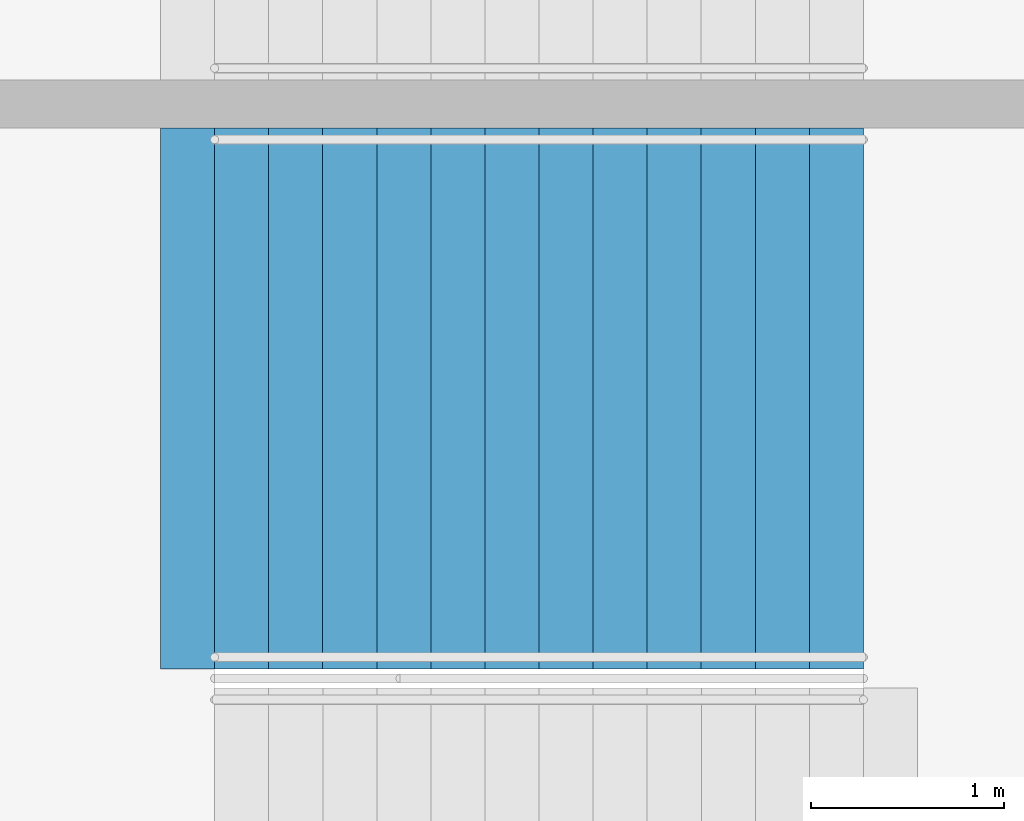
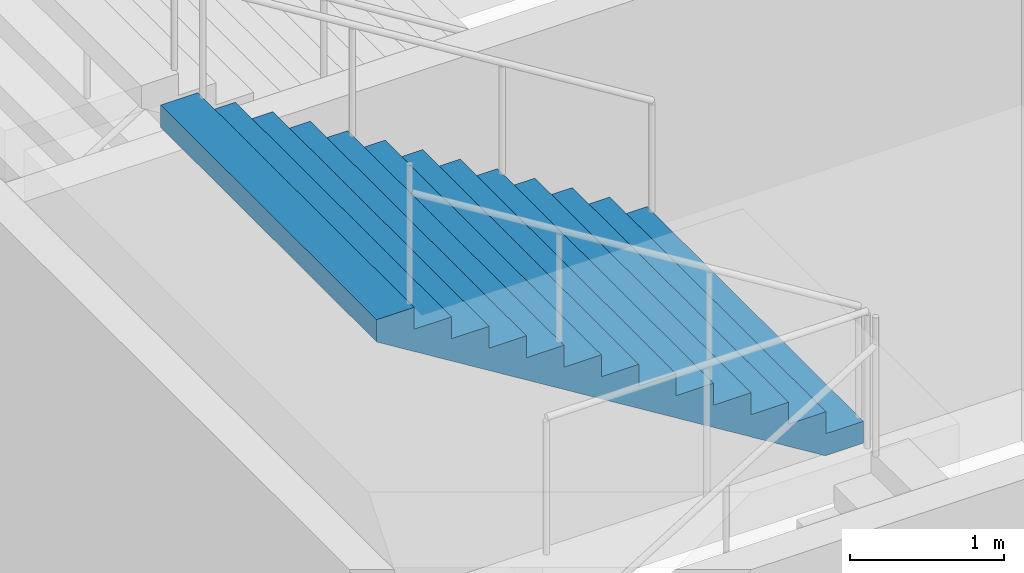
# One storey, part 128 of 177: 1 stair flight, 1 element without a shape of its own.
"""IFC4 building model written with IfcOpenShell, lengths in metres."""

import ifcopenshell
import ifcopenshell.guid

model = None  # the IFC model being written
_history = None  # IfcOwnerHistory: only IFC2X3 demands one
_inside = {}  # id of a spatial element -> (the spatial element, [elements in it])
_under = {}  # id of a project, library or spatial element -> (it, [spatial elements below it])
_declared = {}  # id of a project -> (the project, [libraries it declares])
_typed = {}  # id of a type object -> (the type object, [elements of that type])
_made_of = {}  # id of a material, layer set ... -> (it, [elements and type objects made of it])


def new_model(schema):
    """Start an empty IFC model of exactly this schema.

    Asked for "IFC4X3", IfcOpenShell would pick the latest addendum, in which some entities
    have other attributes; the version numbers below select the first issue.
    IFC2X3 requires an IfcOwnerHistory on every rooted entity: one is made here for all.
    """
    global model, _history
    if schema == "IFC4X3":
        model = ifcopenshell.file(schema_version=(4, 3, 0, 0))
    else:
        model = ifcopenshell.file(schema=schema)
    _inside.clear()
    _under.clear()
    _declared.clear()
    _typed.clear()
    _made_of.clear()
    _history = None
    if model.schema == "IFC2X3":
        org = make("IfcOrganization", Name="unknown")
        user = make(
            "IfcPersonAndOrganization",
            ThePerson=make("IfcPerson", FamilyName="unknown"),
            TheOrganization=org,
        )
        app = make(
            "IfcApplication",
            ApplicationDeveloper=org,
            Version="unknown",
            ApplicationFullName="unknown",
            ApplicationIdentifier="unknown",
        )
        _history = make(
            "IfcOwnerHistory",
            OwningUser=user,
            OwningApplication=app,
            ChangeAction="ADDED",
            CreationDate=0,
        )
    return model


def make(cls, **values):
    """One entity of the class cls with the attributes given. An attribute that is None is left unset."""
    return model.create_entity(
        cls, **{name: value for name, value in values.items() if value is not None}
    )


def rooted(cls, **values):
    """An entity with a GlobalId (a new one), such as an element, a storey or a relation."""
    return make(cls, GlobalId=ifcopenshell.guid.new(), OwnerHistory=_history, **values)


def si_unit(unit_type, name, prefix=None):
    """IfcSIUnit, for example si_unit("LENGTHUNIT", "METRE", prefix="MILLI")."""
    return make("IfcSIUnit", UnitType=unit_type, Prefix=prefix, Name=name)


def assignment(units):
    """IfcUnitAssignment: the units of a project."""
    return None if units is None else make("IfcUnitAssignment", Units=units)


def point(xyz):
    """IfcCartesianPoint."""
    return None if xyz is None else make("IfcCartesianPoint", Coordinates=xyz)


def direction(xyz):
    """IfcDirection."""
    return None if xyz is None else make("IfcDirection", DirectionRatios=xyz)


def frame(location, z_axis=None, x_axis=None):
    """IfcAxis2Placement3D, a coordinate frame: its origin and axes. An axis left out is left unset."""
    return make(
        "IfcAxis2Placement3D",
        Location=point(location),
        Axis=direction(z_axis),
        RefDirection=direction(x_axis),
    )


def origin():
    """The frame at (0, 0, 0) with its axes left unset."""
    return frame((0.0, 0.0, 0.0))


def place(relative_to, where):
    """IfcLocalPlacement: puts the frame where relative to a parent placement (None: the world)."""
    return make(
        "IfcLocalPlacement", PlacementRelTo=relative_to, RelativePlacement=where
    )


def context(
    kind, dimensions, precision=None, world=None, true_north=None, identifier=None
):
    """IfcGeometricRepresentationContext, for example the 3D "Model" context."""
    return make(
        "IfcGeometricRepresentationContext",
        ContextIdentifier=identifier,
        ContextType=kind,
        CoordinateSpaceDimension=dimensions,
        Precision=precision,
        WorldCoordinateSystem=world,
        TrueNorth=true_north,
    )


def subcontext(parent, identifier, kind, view, scale=None):
    """IfcGeometricRepresentationSubContext, for example "Body" below "Model"."""
    return make(
        "IfcGeometricRepresentationSubContext",
        ContextIdentifier=identifier,
        ContextType=kind,
        ParentContext=parent,
        TargetScale=scale,
        TargetView=view,
    )


def project(units=None, contexts=None):
    """IfcProject with its units and contexts."""
    return rooted(
        "IfcProject",
        Name="project",
        RepresentationContexts=contexts,
        UnitsInContext=assignment(units),
    )


def spatial(cls, under=None, at=None, **own):
    """A site, building, storey or space (cls), placed at a placement, below another one or the project."""
    s = rooted(cls, ObjectPlacement=at, **own)
    if under is not None:
        _under.setdefault(under.id(), (under, []))[1].append(s)
    return s


def faces_of(points, faces, orient=None, outer=None):
    """IfcFace entities. A face is a list of loops; a loop is a list of indices into points, from 0.

    orient and outer hold one flag for each loop. By default every Orientation is true, the
    first loop of a face is its IfcFaceOuterBound and the others are IfcFaceBound.
    """
    made = []
    for i, loops in enumerate(faces):
        bounds = []
        for j, loop in enumerate(loops):
            is_outer = j == 0 if outer is None else outer[i][j]
            bounds.append(
                make(
                    "IfcFaceOuterBound" if is_outer else "IfcFaceBound",
                    Bound=make("IfcPolyLoop", Polygon=[points[k] for k in loop]),
                    Orientation=True if orient is None else orient[i][j],
                )
            )
        made.append(make("IfcFace", Bounds=bounds))
    return made


def faceted_brep(points, faces, orient=None, outer=None, voids=None):
    """IfcFacetedBrep: a solid bounded by flat faces; with voids (closed shells), ...WithVoids."""
    shared = [point(p) for p in points]
    hull = make("IfcClosedShell", CfsFaces=faces_of(shared, faces, orient, outer))
    if voids is None:
        return make("IfcFacetedBrep", Outer=hull)
    return make(
        "IfcFacetedBrepWithVoids",
        Outer=hull,
        Voids=[
            make(cls, CfsFaces=faces_of(shared, fs, o, b)) for cls, fs, o, b in voids
        ],
    )


def shape(context_of_items, identifier, shape_type, items):
    """IfcShapeRepresentation: the items that make up one representation, for example the "Body"."""
    return make(
        "IfcShapeRepresentation",
        ContextOfItems=context_of_items,
        RepresentationIdentifier=identifier,
        RepresentationType=shape_type,
        Items=items,
    )


def material(Name=None, Category=None):
    """IfcMaterial."""
    return make("IfcMaterial", Name=Name, Category=Category)


def made_of(thing, what):
    """Note that an element or type object is made of a material, layer set ...; save() writes the relation."""
    if what is not None:
        _made_of.setdefault(what.id(), (what, []))[1].append(thing)
    return thing


def type_object(cls, material=None, **own):
    """A type object (cls), such as IfcWallType, which elements share."""
    return made_of(rooted(cls, **own), material)


def element(
    cls,
    number,
    at=None,
    inside=None,
    cuts=None,
    type_object=None,
    material=None,
    context=None,
    identifier="Body",
    shape_type=None,
    held_by="IfcProductDefinitionShape",
    body=None,
    shapes=None,
    **own,
):
    """One element of the class cls, such as IfcWall. Its Tag is "e" and its number.

    at: its placement. inside: the storey or other place that contains it. cuts: it is an
    opening in that element (IfcRelVoidsElement). A single representation is given by context,
    identifier, shape_type and body (its items); several are given by shapes. held_by: the class
    of the entity that holds the representations. save() writes the other relations.
    """
    e = rooted(cls, Tag="e%d" % number, ObjectPlacement=at, **own)
    if body is not None:
        shapes = [shape(context, identifier, shape_type, body)]
    if shapes is not None:
        e.Representation = make(held_by, Representations=shapes)
    if inside is not None:
        _inside.setdefault(inside.id(), (inside, []))[1].append(e)
    if cuts is not None:
        rooted(
            "IfcRelVoidsElement", RelatingBuildingElement=cuts, RelatedOpeningElement=e
        )
    if type_object is not None:
        _typed.setdefault(type_object.id(), (type_object, []))[1].append(e)
    return made_of(e, material)


def aggregate(whole, parts):
    """IfcRelAggregates: a whole, such as a stair, and the parts it consists of."""
    return rooted("IfcRelAggregates", RelatingObject=whole, RelatedObjects=parts)


def save(model, path):
    """Write the relations noted so far, then the file.

    IfcRelAggregates (storeys below a building ...), IfcRelContainedInSpatialStructure (elements
    in a storey), IfcRelDefinesByType, IfcRelAssociatesMaterial and IfcRelDeclares: one each for
    every whole, place, type object, material and project.
    """
    for whole, parts in _under.values():
        aggregate(whole, parts)
    for where, things in _inside.values():
        rooted(
            "IfcRelContainedInSpatialStructure",
            RelatedElements=things,
            RelatingStructure=where,
        )
    for kind, things in _typed.values():
        rooted("IfcRelDefinesByType", RelatedObjects=things, RelatingType=kind)
    for what, things in _made_of.values():
        rooted("IfcRelAssociatesMaterial", RelatedObjects=things, RelatingMaterial=what)
    for by, libraries in _declared.values():
        rooted("IfcRelDeclares", RelatingContext=by, RelatedDefinitions=libraries)
    model.write(path)


model = new_model("IFC4")

# Units and contexts
model_context = context("Model", 3, precision=1e-05, world=origin(), true_north=direction((0.0, 1.0)))
body_context = subcontext(model_context, "Body", "Model", "MODEL_VIEW")
ifc_project = project(units=[si_unit("LENGTHUNIT", "METRE"), si_unit("AREAUNIT", "SQUARE_METRE"), si_unit("VOLUMEUNIT", "CUBIC_METRE"), si_unit("PLANEANGLEUNIT", "RADIAN"), si_unit("MASSUNIT", "GRAM", prefix="KILO")], contexts=[model_context])

# Site, building, storey
site_placement = place(None, origin())
site = spatial("IfcSite", under=ifc_project, at=site_placement, CompositionType="ELEMENT")
building_placement = place(site_placement, origin())
building = spatial("IfcBuilding", under=site, at=building_placement, Name="Ogive Plaza Stadium", CompositionType="ELEMENT")
storey_placement = place(building_placement, frame((0.0, 0.0, 18.0)))
storey = spatial("IfcBuildingStorey", under=building, at=storey_placement, Name="L04", CompositionType="ELEMENT", Elevation=18.0)

# Stair, stair flight
ifc_material_1 = material(Name="Concrete C40/50", Category="concrete")
stair_type = type_object("IfcStairType", Name="Exit stair", PredefinedType="STRAIGHT_RUN_STAIR", material=ifc_material_1)
stair_placement = place(storey_placement, origin())
stair = element("IfcStair", 1, at=stair_placement, inside=storey, type_object=stair_type, Name="Exit stair ST04A L04 to L05", PredefinedType="STRAIGHT_RUN_STAIR")
ifc_material_2 = material(Name="Concrete C40/50", Category="concrete")
stair_flight_type = type_object("IfcStairFlightType", Name="Exit stair flight", PredefinedType="STRAIGHT", material=ifc_material_2)
stair_flight_placement = place(storey_placement, frame((79.7099609375, 5.97509765625, 2.25), z_axis=(0.0, 0.0, 1.0), x_axis=(-1.0, 0.0, 0.0)))
stair_flight = element("IfcStairFlight", 2, at=stair_flight_placement, type_object=stair_flight_type, Name="ST04A flight 2", NumberOfRisers=13, NumberOfTreads=12, PredefinedType="STRAIGHT", RiserHeight=0.173076923, TreadLength=0.28, context=body_context, shape_type="Brep", body=[
    faceted_brep([(0.28515625, -1.39990234375, 0.0), (3.639892578125, -1.39990234375, 2.07373046875), (3.639892578125, -1.39990234375, 2.25), (3.360107421875, -1.39990234375, 2.25), (3.360107421875, -1.39990234375, 2.076904296875), (3.080078125, -1.39990234375, 2.076904296875), (3.080078125, -1.39990234375, 1.90380859375), (2.800048828125, -1.39990234375, 1.90380859375), (2.800048828125, -1.39990234375, 1.730712890625), (2.52001953125, -1.39990234375, 1.730712890625), (2.52001953125, -1.39990234375, 1.5576171875), (2.239990234375, -1.39990234375, 1.5576171875), (2.239990234375, -1.39990234375, 1.384521484375), (1.9599609375, -1.39990234375, 1.384521484375), (1.9599609375, -1.39990234375, 1.21142578125), (1.679931640625, -1.39990234375, 1.21142578125), (1.679931640625, -1.39990234375, 1.03857421875), (1.39990234375, -1.39990234375, 1.03857421875), (1.39990234375, -1.39990234375, 0.865478515625), (1.1201171875, -1.39990234375, 0.865478515625), (1.1201171875, -1.39990234375, 0.6923828125), (0.840087890625, -1.39990234375, 0.6923828125), (0.840087890625, -1.39990234375, 0.519287109375), (0.56005859375, -1.39990234375, 0.519287109375), (0.56005859375, -1.39990234375, 0.34619140625), (0.280029296875, -1.39990234375, 0.34619140625), (0.280029296875, -1.39990234375, 0.173095703125), (0.0, -1.39990234375, 0.173095703125), (0.0, -1.39990234375, 0.0), (0.0, 1.39990234375, 0.0), (0.0, 1.39990234375, 0.173095703125), (0.280029296875, 1.39990234375, 0.173095703125), (0.280029296875, 1.39990234375, 0.34619140625), (0.56005859375, 1.39990234375, 0.34619140625), (0.56005859375, 1.39990234375, 0.519287109375), (0.840087890625, 1.39990234375, 0.519287109375), (0.840087890625, 1.39990234375, 0.6923828125), (1.1201171875, 1.39990234375, 0.6923828125), (1.1201171875, 1.39990234375, 0.865478515625), (1.39990234375, 1.39990234375, 0.865478515625), (1.39990234375, 1.39990234375, 1.03857421875), (1.679931640625, 1.39990234375, 1.03857421875), (1.679931640625, 1.39990234375, 1.21142578125), (1.9599609375, 1.39990234375, 1.21142578125), (1.9599609375, 1.39990234375, 1.384521484375), (2.239990234375, 1.39990234375, 1.384521484375), (2.239990234375, 1.39990234375, 1.5576171875), (2.52001953125, 1.39990234375, 1.5576171875), (2.52001953125, 1.39990234375, 1.730712890625), (2.800048828125, 1.39990234375, 1.730712890625), (2.800048828125, 1.39990234375, 1.90380859375), (3.080078125, 1.39990234375, 1.90380859375), (3.080078125, 1.39990234375, 2.076904296875), (3.360107421875, 1.39990234375, 2.076904296875), (3.360107421875, 1.39990234375, 2.25), (3.639892578125, 1.39990234375, 2.25), (3.639892578125, 1.39990234375, 2.07373046875), (0.28515625, 1.39990234375, 0.0), (0.28515625, -1.0888671875, 0.0), (3.639892578125, -1.0888671875, 2.07373046875), (0.28515625, -0.77783203125, 0.0), (3.639892578125, -0.77783203125, 2.07373046875), (0.28515625, -0.466796875, 0.0), (3.639892578125, -0.466796875, 2.07373046875), (0.28515625, -0.155517578125, 0.0), (3.639892578125, -0.155517578125, 2.07373046875), (0.28515625, 0.155517578125, 0.0), (3.639892578125, 0.155517578125, 2.07373046875), (0.28515625, 0.466796875, 0.0), (3.639892578125, 0.466796875, 2.07373046875), (0.28515625, 0.77783203125, 0.0), (3.639892578125, 0.77783203125, 2.07373046875), (0.28515625, 1.0888671875, 0.0), (3.639892578125, 1.0888671875, 2.07373046875), (3.639892578125, -1.0888671875, 2.25), (3.639892578125, -0.77783203125, 2.25), (3.639892578125, -0.466796875, 2.25), (3.639892578125, -0.155517578125, 2.25), (3.639892578125, 0.155517578125, 2.25), (3.639892578125, 0.466796875, 2.25), (3.639892578125, 0.77783203125, 2.25), (3.639892578125, 1.0888671875, 2.25), (3.360107421875, -1.0888671875, 2.25), (3.360107421875, -0.77783203125, 2.25), (3.360107421875, -0.466796875, 2.25), (3.360107421875, -0.155517578125, 2.25), (3.360107421875, 0.155517578125, 2.25), (3.360107421875, 0.466796875, 2.25), (3.360107421875, 0.77783203125, 2.25), (3.360107421875, 1.0888671875, 2.25), (3.360107421875, -1.0888671875, 2.076904296875), (3.360107421875, -0.77783203125, 2.076904296875), (3.360107421875, -0.466796875, 2.076904296875), (3.360107421875, -0.155517578125, 2.076904296875), (3.360107421875, 0.155517578125, 2.076904296875), (3.360107421875, 0.466796875, 2.076904296875), (3.360107421875, 0.77783203125, 2.076904296875), (3.360107421875, 1.0888671875, 2.076904296875), (3.080078125, -1.0888671875, 2.076904296875), (3.080078125, -0.77783203125, 2.076904296875), (3.080078125, -0.466796875, 2.076904296875), (3.080078125, -0.155517578125, 2.076904296875), (3.080078125, 0.155517578125, 2.076904296875), (3.080078125, 0.466796875, 2.076904296875), (3.080078125, 0.77783203125, 2.076904296875), (3.080078125, 1.0888671875, 2.076904296875), (3.080078125, -1.0888671875, 1.90380859375), (3.080078125, -0.77783203125, 1.90380859375), (3.080078125, -0.466796875, 1.90380859375), (3.080078125, -0.155517578125, 1.90380859375), (3.080078125, 0.155517578125, 1.90380859375), (3.080078125, 0.466796875, 1.90380859375), (3.080078125, 0.77783203125, 1.90380859375), (3.080078125, 1.0888671875, 1.90380859375), (2.800048828125, -1.0888671875, 1.90380859375), (2.800048828125, -0.77783203125, 1.90380859375), (2.800048828125, -0.466796875, 1.90380859375), (2.800048828125, -0.155517578125, 1.90380859375), (2.800048828125, 0.155517578125, 1.90380859375), (2.800048828125, 0.466796875, 1.90380859375), (2.800048828125, 0.77783203125, 1.90380859375), (2.800048828125, 1.0888671875, 1.90380859375), (2.800048828125, -1.0888671875, 1.730712890625), (2.800048828125, -0.77783203125, 1.730712890625), (2.800048828125, -0.466796875, 1.730712890625), (2.800048828125, -0.155517578125, 1.730712890625), (2.800048828125, 0.155517578125, 1.730712890625), (2.800048828125, 0.466796875, 1.730712890625), (2.800048828125, 0.77783203125, 1.730712890625), (2.800048828125, 1.0888671875, 1.730712890625), (2.52001953125, -1.0888671875, 1.730712890625), (2.52001953125, -0.77783203125, 1.730712890625), (2.52001953125, -0.466796875, 1.730712890625), (2.52001953125, -0.155517578125, 1.730712890625), (2.52001953125, 0.155517578125, 1.730712890625), (2.52001953125, 0.466796875, 1.730712890625), (2.52001953125, 0.77783203125, 1.730712890625), (2.52001953125, 1.0888671875, 1.730712890625), (2.52001953125, -1.0888671875, 1.5576171875), (2.52001953125, -0.77783203125, 1.5576171875), (2.52001953125, -0.466796875, 1.5576171875), (2.52001953125, -0.155517578125, 1.5576171875), (2.52001953125, 0.155517578125, 1.5576171875), (2.52001953125, 0.466796875, 1.5576171875), (2.52001953125, 0.77783203125, 1.5576171875), (2.52001953125, 1.0888671875, 1.5576171875), (2.239990234375, -1.0888671875, 1.5576171875), (2.239990234375, -0.77783203125, 1.5576171875), (2.239990234375, -0.466796875, 1.5576171875), (2.239990234375, -0.155517578125, 1.5576171875), (2.239990234375, 0.155517578125, 1.5576171875), (2.239990234375, 0.466796875, 1.5576171875), (2.239990234375, 0.77783203125, 1.5576171875), (2.239990234375, 1.0888671875, 1.5576171875), (2.239990234375, -1.0888671875, 1.384521484375), (2.239990234375, -0.77783203125, 1.384521484375), (2.239990234375, -0.466796875, 1.384521484375), (2.239990234375, -0.155517578125, 1.384521484375), (2.239990234375, 0.155517578125, 1.384521484375), (2.239990234375, 0.466796875, 1.384521484375), (2.239990234375, 0.77783203125, 1.384521484375), (2.239990234375, 1.0888671875, 1.384521484375), (1.9599609375, -1.0888671875, 1.384521484375), (1.9599609375, -0.77783203125, 1.384521484375), (1.9599609375, -0.466796875, 1.384521484375), (1.9599609375, -0.155517578125, 1.384521484375), (1.9599609375, 0.155517578125, 1.384521484375), (1.9599609375, 0.466796875, 1.384521484375), (1.9599609375, 0.77783203125, 1.384521484375), (1.9599609375, 1.0888671875, 1.384521484375), (1.9599609375, -1.0888671875, 1.21142578125), (1.9599609375, -0.77783203125, 1.21142578125), (1.9599609375, -0.466796875, 1.21142578125), (1.9599609375, -0.155517578125, 1.21142578125), (1.9599609375, 0.155517578125, 1.21142578125), (1.9599609375, 0.466796875, 1.21142578125), (1.9599609375, 0.77783203125, 1.21142578125), (1.9599609375, 1.0888671875, 1.21142578125), (1.679931640625, -1.0888671875, 1.21142578125), (1.679931640625, -0.77783203125, 1.21142578125), (1.679931640625, -0.466796875, 1.21142578125), (1.679931640625, -0.155517578125, 1.21142578125), (1.679931640625, 0.155517578125, 1.21142578125), (1.679931640625, 0.466796875, 1.21142578125), (1.679931640625, 0.77783203125, 1.21142578125), (1.679931640625, 1.0888671875, 1.21142578125), (1.679931640625, -1.0888671875, 1.03857421875), (1.679931640625, -0.77783203125, 1.03857421875), (1.679931640625, -0.466796875, 1.03857421875), (1.679931640625, -0.155517578125, 1.03857421875), (1.679931640625, 0.155517578125, 1.03857421875), (1.679931640625, 0.466796875, 1.03857421875), (1.679931640625, 0.77783203125, 1.03857421875), (1.679931640625, 1.0888671875, 1.03857421875), (1.39990234375, -1.0888671875, 1.03857421875), (1.39990234375, -0.77783203125, 1.03857421875), (1.39990234375, -0.466796875, 1.03857421875), (1.39990234375, -0.155517578125, 1.03857421875), (1.39990234375, 0.155517578125, 1.03857421875), (1.39990234375, 0.466796875, 1.03857421875), (1.39990234375, 0.77783203125, 1.03857421875), (1.39990234375, 1.0888671875, 1.03857421875), (1.39990234375, -1.0888671875, 0.865478515625), (1.39990234375, -0.77783203125, 0.865478515625), (1.39990234375, -0.466796875, 0.865478515625), (1.39990234375, -0.155517578125, 0.865478515625), (1.39990234375, 0.155517578125, 0.865478515625), (1.39990234375, 0.466796875, 0.865478515625), (1.39990234375, 0.77783203125, 0.865478515625), (1.39990234375, 1.0888671875, 0.865478515625), (1.1201171875, -1.0888671875, 0.865478515625), (1.1201171875, -0.77783203125, 0.865478515625), (1.1201171875, -0.466796875, 0.865478515625), (1.1201171875, -0.155517578125, 0.865478515625), (1.1201171875, 0.155517578125, 0.865478515625), (1.1201171875, 0.466796875, 0.865478515625), (1.1201171875, 0.77783203125, 0.865478515625), (1.1201171875, 1.0888671875, 0.865478515625), (1.1201171875, -1.0888671875, 0.6923828125), (1.1201171875, -0.77783203125, 0.6923828125), (1.1201171875, -0.466796875, 0.6923828125), (1.1201171875, -0.155517578125, 0.6923828125), (1.1201171875, 0.155517578125, 0.6923828125), (1.1201171875, 0.466796875, 0.6923828125), (1.1201171875, 0.77783203125, 0.6923828125), (1.1201171875, 1.0888671875, 0.6923828125), (0.840087890625, -1.0888671875, 0.6923828125), (0.840087890625, -0.77783203125, 0.6923828125), (0.840087890625, -0.466796875, 0.6923828125), (0.840087890625, -0.155517578125, 0.6923828125), (0.840087890625, 0.155517578125, 0.6923828125), (0.840087890625, 0.466796875, 0.6923828125), (0.840087890625, 0.77783203125, 0.6923828125), (0.840087890625, 1.0888671875, 0.6923828125), (0.840087890625, -1.0888671875, 0.519287109375), (0.840087890625, -0.77783203125, 0.519287109375), (0.840087890625, -0.466796875, 0.519287109375), (0.840087890625, -0.155517578125, 0.519287109375), (0.840087890625, 0.155517578125, 0.519287109375), (0.840087890625, 0.466796875, 0.519287109375), (0.840087890625, 0.77783203125, 0.519287109375), (0.840087890625, 1.0888671875, 0.519287109375), (0.56005859375, -1.0888671875, 0.519287109375), (0.56005859375, -0.77783203125, 0.519287109375), (0.56005859375, -0.466796875, 0.519287109375), (0.56005859375, -0.155517578125, 0.519287109375), (0.56005859375, 0.155517578125, 0.519287109375), (0.56005859375, 0.466796875, 0.519287109375), (0.56005859375, 0.77783203125, 0.519287109375), (0.56005859375, 1.0888671875, 0.519287109375), (0.56005859375, -1.0888671875, 0.34619140625), (0.56005859375, -0.77783203125, 0.34619140625), (0.56005859375, -0.466796875, 0.34619140625), (0.56005859375, -0.155517578125, 0.34619140625), (0.56005859375, 0.155517578125, 0.34619140625), (0.56005859375, 0.466796875, 0.34619140625), (0.56005859375, 0.77783203125, 0.34619140625), (0.56005859375, 1.0888671875, 0.34619140625), (0.280029296875, -1.0888671875, 0.34619140625), (0.280029296875, -0.77783203125, 0.34619140625), (0.280029296875, -0.466796875, 0.34619140625), (0.280029296875, -0.155517578125, 0.34619140625), (0.280029296875, 0.155517578125, 0.34619140625), (0.280029296875, 0.466796875, 0.34619140625), (0.280029296875, 0.77783203125, 0.34619140625), (0.280029296875, 1.0888671875, 0.34619140625), (0.280029296875, -1.0888671875, 0.173095703125), (0.280029296875, -0.77783203125, 0.173095703125), (0.280029296875, -0.466796875, 0.173095703125), (0.280029296875, -0.155517578125, 0.173095703125), (0.280029296875, 0.155517578125, 0.173095703125), (0.280029296875, 0.466796875, 0.173095703125), (0.280029296875, 0.77783203125, 0.173095703125), (0.280029296875, 1.0888671875, 0.173095703125), (0.0, -1.0888671875, 0.173095703125), (0.0, -0.77783203125, 0.173095703125), (0.0, -0.466796875, 0.173095703125), (0.0, -0.155517578125, 0.173095703125), (0.0, 0.155517578125, 0.173095703125), (0.0, 0.466796875, 0.173095703125), (0.0, 0.77783203125, 0.173095703125), (0.0, 1.0888671875, 0.173095703125), (0.0, -1.0888671875, 0.0), (0.0, -0.77783203125, 0.0), (0.0, -0.466796875, 0.0), (0.0, -0.155517578125, 0.0), (0.0, 0.155517578125, 0.0), (0.0, 0.466796875, 0.0), (0.0, 0.77783203125, 0.0), (0.0, 1.0888671875, 0.0)], [[[0, 1, 2, 3, 4, 5, 6, 7, 8, 9, 10, 11, 12, 13, 14, 15, 16, 17, 18, 19, 20, 21, 22, 23, 24, 25, 26, 27, 28]], [[29, 30, 31, 32, 33, 34, 35, 36, 37, 38, 39, 40, 41, 42, 43, 44, 45, 46, 47, 48, 49, 50, 51, 52, 53, 54, 55, 56, 57]], [[0, 58, 59, 1]], [[58, 60, 61, 59]], [[60, 62, 63, 61]], [[62, 64, 65, 63]], [[64, 66, 67, 65]], [[66, 68, 69, 67]], [[68, 70, 71, 69]], [[70, 72, 73, 71]], [[72, 57, 56, 73]], [[1, 59, 74, 2]], [[59, 61, 75, 74]], [[61, 63, 76, 75]], [[63, 65, 77, 76]], [[65, 67, 78, 77]], [[67, 69, 79, 78]], [[69, 71, 80, 79]], [[71, 73, 81, 80]], [[73, 56, 55, 81]], [[2, 74, 82, 3]], [[74, 75, 83, 82]], [[75, 76, 84, 83]], [[76, 77, 85, 84]], [[77, 78, 86, 85]], [[78, 79, 87, 86]], [[79, 80, 88, 87]], [[80, 81, 89, 88]], [[81, 55, 54, 89]], [[3, 82, 90, 4]], [[82, 83, 91, 90]], [[83, 84, 92, 91]], [[84, 85, 93, 92]], [[85, 86, 94, 93]], [[86, 87, 95, 94]], [[87, 88, 96, 95]], [[88, 89, 97, 96]], [[89, 54, 53, 97]], [[4, 90, 98, 5]], [[90, 91, 99, 98]], [[91, 92, 100, 99]], [[92, 93, 101, 100]], [[93, 94, 102, 101]], [[94, 95, 103, 102]], [[95, 96, 104, 103]], [[96, 97, 105, 104]], [[97, 53, 52, 105]], [[5, 98, 106, 6]], [[98, 99, 107, 106]], [[99, 100, 108, 107]], [[100, 101, 109, 108]], [[101, 102, 110, 109]], [[102, 103, 111, 110]], [[103, 104, 112, 111]], [[104, 105, 113, 112]], [[105, 52, 51, 113]], [[6, 106, 114, 7]], [[106, 107, 115, 114]], [[107, 108, 116, 115]], [[108, 109, 117, 116]], [[109, 110, 118, 117]], [[110, 111, 119, 118]], [[111, 112, 120, 119]], [[112, 113, 121, 120]], [[113, 51, 50, 121]], [[7, 114, 122, 8]], [[114, 115, 123, 122]], [[115, 116, 124, 123]], [[116, 117, 125, 124]], [[117, 118, 126, 125]], [[118, 119, 127, 126]], [[119, 120, 128, 127]], [[120, 121, 129, 128]], [[121, 50, 49, 129]], [[8, 122, 130, 9]], [[122, 123, 131, 130]], [[123, 124, 132, 131]], [[124, 125, 133, 132]], [[125, 126, 134, 133]], [[126, 127, 135, 134]], [[127, 128, 136, 135]], [[128, 129, 137, 136]], [[129, 49, 48, 137]], [[9, 130, 138, 10]], [[130, 131, 139, 138]], [[131, 132, 140, 139]], [[132, 133, 141, 140]], [[133, 134, 142, 141]], [[134, 135, 143, 142]], [[135, 136, 144, 143]], [[136, 137, 145, 144]], [[137, 48, 47, 145]], [[10, 138, 146, 11]], [[138, 139, 147, 146]], [[139, 140, 148, 147]], [[140, 141, 149, 148]], [[141, 142, 150, 149]], [[142, 143, 151, 150]], [[143, 144, 152, 151]], [[144, 145, 153, 152]], [[145, 47, 46, 153]], [[11, 146, 154, 12]], [[146, 147, 155, 154]], [[147, 148, 156, 155]], [[148, 149, 157, 156]], [[149, 150, 158, 157]], [[150, 151, 159, 158]], [[151, 152, 160, 159]], [[152, 153, 161, 160]], [[153, 46, 45, 161]], [[12, 154, 162, 13]], [[154, 155, 163, 162]], [[155, 156, 164, 163]], [[156, 157, 165, 164]], [[157, 158, 166, 165]], [[158, 159, 167, 166]], [[159, 160, 168, 167]], [[160, 161, 169, 168]], [[161, 45, 44, 169]], [[13, 162, 170, 14]], [[162, 163, 171, 170]], [[163, 164, 172, 171]], [[164, 165, 173, 172]], [[165, 166, 174, 173]], [[166, 167, 175, 174]], [[167, 168, 176, 175]], [[168, 169, 177, 176]], [[169, 44, 43, 177]], [[14, 170, 178, 15]], [[170, 171, 179, 178]], [[171, 172, 180, 179]], [[172, 173, 181, 180]], [[173, 174, 182, 181]], [[174, 175, 183, 182]], [[175, 176, 184, 183]], [[176, 177, 185, 184]], [[177, 43, 42, 185]], [[15, 178, 186, 16]], [[178, 179, 187, 186]], [[179, 180, 188, 187]], [[180, 181, 189, 188]], [[181, 182, 190, 189]], [[182, 183, 191, 190]], [[183, 184, 192, 191]], [[184, 185, 193, 192]], [[185, 42, 41, 193]], [[16, 186, 194, 17]], [[186, 187, 195, 194]], [[187, 188, 196, 195]], [[188, 189, 197, 196]], [[189, 190, 198, 197]], [[190, 191, 199, 198]], [[191, 192, 200, 199]], [[192, 193, 201, 200]], [[193, 41, 40, 201]], [[17, 194, 202, 18]], [[194, 195, 203, 202]], [[195, 196, 204, 203]], [[196, 197, 205, 204]], [[197, 198, 206, 205]], [[198, 199, 207, 206]], [[199, 200, 208, 207]], [[200, 201, 209, 208]], [[201, 40, 39, 209]], [[18, 202, 210, 19]], [[202, 203, 211, 210]], [[203, 204, 212, 211]], [[204, 205, 213, 212]], [[205, 206, 214, 213]], [[206, 207, 215, 214]], [[207, 208, 216, 215]], [[208, 209, 217, 216]], [[209, 39, 38, 217]], [[19, 210, 218, 20]], [[210, 211, 219, 218]], [[211, 212, 220, 219]], [[212, 213, 221, 220]], [[213, 214, 222, 221]], [[214, 215, 223, 222]], [[215, 216, 224, 223]], [[216, 217, 225, 224]], [[217, 38, 37, 225]], [[20, 218, 226, 21]], [[218, 219, 227, 226]], [[219, 220, 228, 227]], [[220, 221, 229, 228]], [[221, 222, 230, 229]], [[222, 223, 231, 230]], [[223, 224, 232, 231]], [[224, 225, 233, 232]], [[225, 37, 36, 233]], [[21, 226, 234, 22]], [[226, 227, 235, 234]], [[227, 228, 236, 235]], [[228, 229, 237, 236]], [[229, 230, 238, 237]], [[230, 231, 239, 238]], [[231, 232, 240, 239]], [[232, 233, 241, 240]], [[233, 36, 35, 241]], [[22, 234, 242, 23]], [[234, 235, 243, 242]], [[235, 236, 244, 243]], [[236, 237, 245, 244]], [[237, 238, 246, 245]], [[238, 239, 247, 246]], [[239, 240, 248, 247]], [[240, 241, 249, 248]], [[241, 35, 34, 249]], [[23, 242, 250, 24]], [[242, 243, 251, 250]], [[243, 244, 252, 251]], [[244, 245, 253, 252]], [[245, 246, 254, 253]], [[246, 247, 255, 254]], [[247, 248, 256, 255]], [[248, 249, 257, 256]], [[249, 34, 33, 257]], [[24, 250, 258, 25]], [[250, 251, 259, 258]], [[251, 252, 260, 259]], [[252, 253, 261, 260]], [[253, 254, 262, 261]], [[254, 255, 263, 262]], [[255, 256, 264, 263]], [[256, 257, 265, 264]], [[257, 33, 32, 265]], [[25, 258, 266, 26]], [[258, 259, 267, 266]], [[259, 260, 268, 267]], [[260, 261, 269, 268]], [[261, 262, 270, 269]], [[262, 263, 271, 270]], [[263, 264, 272, 271]], [[264, 265, 273, 272]], [[265, 32, 31, 273]], [[26, 266, 274, 27]], [[266, 267, 275, 274]], [[267, 268, 276, 275]], [[268, 269, 277, 276]], [[269, 270, 278, 277]], [[270, 271, 279, 278]], [[271, 272, 280, 279]], [[272, 273, 281, 280]], [[273, 31, 30, 281]], [[27, 274, 282, 28]], [[274, 275, 283, 282]], [[275, 276, 284, 283]], [[276, 277, 285, 284]], [[277, 278, 286, 285]], [[278, 279, 287, 286]], [[279, 280, 288, 287]], [[280, 281, 289, 288]], [[281, 30, 29, 289]], [[28, 282, 58, 0]], [[282, 283, 60, 58]], [[283, 284, 62, 60]], [[284, 285, 64, 62]], [[285, 286, 66, 64]], [[286, 287, 68, 66]], [[287, 288, 70, 68]], [[288, 289, 72, 70]], [[289, 29, 57, 72]]]),
])
aggregate(stair, [stair_flight])

save(model, "model.ifc")
